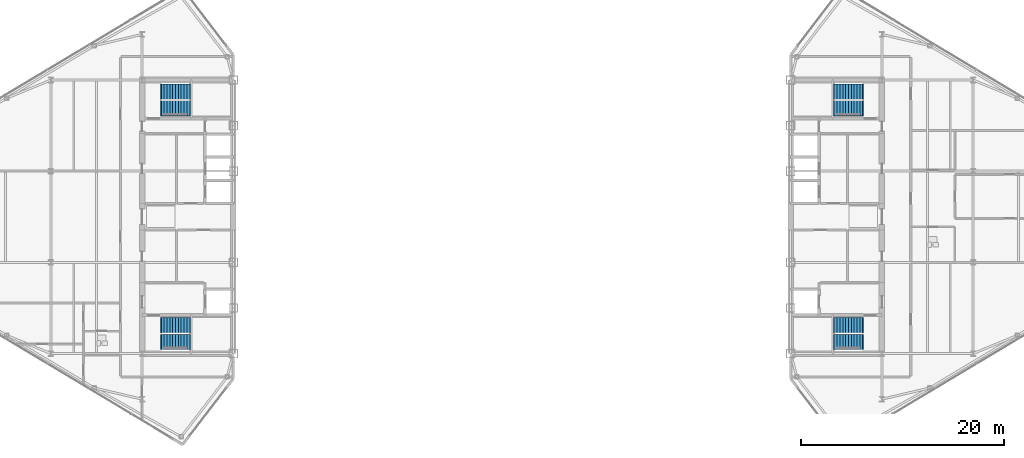
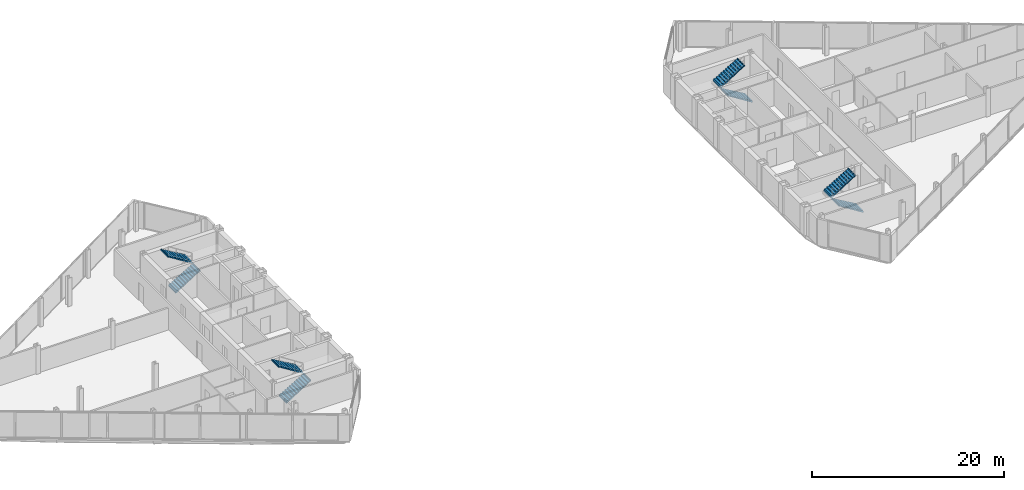
# One storey, part 23 of 25: 8 stair flights, 4 elements without a shape of their own.
"""IFC4 building model written with IfcOpenShell, lengths in metres."""

from ifc_helpers import new_model, si_unit, direction, frame, origin, place, context, subcontext, project, spatial, polyline, outline, extrude, material, type_object, element, aggregate, save


model = new_model("IFC4")

# Units and contexts
model_context = context("Model", 3, precision=1e-05, world=origin(), true_north=direction((0.0, 1.0)))
body_context = subcontext(model_context, "Body", "Model", "MODEL_VIEW")
ifc_project = project(units=[si_unit("LENGTHUNIT", "METRE"), si_unit("AREAUNIT", "SQUARE_METRE"), si_unit("VOLUMEUNIT", "CUBIC_METRE"), si_unit("PLANEANGLEUNIT", "RADIAN"), si_unit("MASSUNIT", "GRAM", prefix="KILO")], contexts=[model_context])

# Site, building, storey
site_placement = place(None, origin())
site = spatial("IfcSite", under=ifc_project, at=site_placement, CompositionType="ELEMENT")
building_placement = place(site_placement, origin())
building = spatial("IfcBuilding", under=site, at=building_placement, Name="Seokmaru Belvedere", CompositionType="ELEMENT")
storey_placement = place(building_placement, frame((0.0, 0.0, 203.10009765625)))
storey = spatial("IfcBuildingStorey", under=building, at=storey_placement, Name="L54", CompositionType="ELEMENT", Elevation=203.10009765625)

# Stair, stair flights
ifc_material = material(Name="Concrete C40 (40 MPa)", Category="concrete")
stair_type = type_object("IfcStairType", Name="Typical Tower Core Dog-Leg Stair 3600", PredefinedType="TWO_STRAIGHT_RUN_STAIR", material=ifc_material)
stair_1_placement = place(storey_placement, origin())
stair_1 = element("IfcStair", 1, at=stair_1_placement, inside=storey, type_object=stair_type, Name="L54 Special Escape Stair ST-W1", PredefinedType="TWO_STRAIGHT_RUN_STAIR")
stair_flight_type = type_object("IfcStairFlightType", Name="Reinforced Concrete Stair Flight 1500", PredefinedType="STRAIGHT", material=ifc_material)
stair_flight_1_placement = place(storey_placement, frame((-34.60009765625, -12.35009765625, 0.0), z_axis=(0.0, 0.0, 1.0), x_axis=(1.0, 0.0, 0.0)))
stair_flight_1 = element("IfcStairFlight", 2, at=stair_flight_1_placement, type_object=stair_flight_type, Name="ST-W1 flight 1", NumberOfRisers=11, NumberOfTreads=10, PredefinedType="STRAIGHT", RiserHeight=0.163636364, TreadLength=0.28, context=body_context, shape_type="SweptSolid", body=[
    extrude(outline(polyline([(-0.080078125, 0.0), (0.0, 0.16357421875), (0.280029296875, 0.16357421875), (0.280029296875, 0.327392578125), (0.56005859375, 0.327392578125), (0.56005859375, 0.490966796875), (0.840087890625, 0.490966796875), (0.840087890625, 0.654541015625), (1.1201171875, 0.654541015625), (1.1201171875, 0.818115234375), (1.39990234375, 0.818115234375), (1.39990234375, 0.98193359375), (1.679931640625, 0.98193359375), (1.679931640625, 1.1455078125), (1.9599609375, 1.1455078125), (1.9599609375, 1.30908203125), (2.239990234375, 1.30908203125), (2.239990234375, 1.47265625), (2.52001953125, 1.47265625), (2.52001953125, 1.636474609375), (2.800048828125, 1.636474609375), (2.800048828125, 1.800048828125), (2.8798828125, 1.800048828125), (2.8798828125, 1.610107421875), (2.800048828125, 1.610107421875), (0.0, -0.159912109375), (-0.080078125, -0.159912109375), (-0.080078125, 0.0)])), frame((0.0, 0.75, 0.0), z_axis=(0.0, -1.0, 0.0), x_axis=(1.0, 0.0, 0.0)), (0.0, 0.0, 1.0), 1.5),
])
stair_flight_2_placement = place(storey_placement, frame((-31.800048828125, -10.7099609375, 1.7998046875), z_axis=(0.0, 0.0, 1.0), x_axis=(-1.0, 0.0, 0.0)))
stair_flight_2 = element("IfcStairFlight", 3, at=stair_flight_2_placement, type_object=stair_flight_type, Name="ST-W1 flight 2", NumberOfRisers=11, NumberOfTreads=10, PredefinedType="STRAIGHT", RiserHeight=0.163636364, TreadLength=0.28, context=body_context, shape_type="SweptSolid", body=[
    extrude(outline(polyline([(-0.080078125, 0.0), (0.0, 0.16357421875), (0.280029296875, 0.16357421875), (0.280029296875, 0.327392578125), (0.56005859375, 0.327392578125), (0.56005859375, 0.490966796875), (0.840087890625, 0.490966796875), (0.840087890625, 0.654541015625), (1.1201171875, 0.654541015625), (1.1201171875, 0.818115234375), (1.39990234375, 0.818115234375), (1.39990234375, 0.98193359375), (1.679931640625, 0.98193359375), (1.679931640625, 1.1455078125), (1.9599609375, 1.1455078125), (1.9599609375, 1.30908203125), (2.239990234375, 1.30908203125), (2.239990234375, 1.47265625), (2.52001953125, 1.47265625), (2.52001953125, 1.636474609375), (2.800048828125, 1.636474609375), (2.800048828125, 1.800048828125), (2.8798828125, 1.800048828125), (2.8798828125, 1.610107421875), (2.800048828125, 1.610107421875), (0.0, -0.159912109375), (-0.080078125, -0.159912109375), (-0.080078125, 0.0)])), frame((0.0, 0.75, 0.0), z_axis=(0.0, -1.0, 0.0), x_axis=(1.0, 0.0, 0.0)), (0.0, 0.0, 1.0), 1.5),
])
aggregate(stair_1, [stair_flight_1, stair_flight_2])

stair_2_placement = place(storey_placement, origin())
stair_2 = element("IfcStair", 4, at=stair_2_placement, inside=storey, type_object=stair_type, Name="L54 Special Escape Stair ST-W2", PredefinedType="TWO_STRAIGHT_RUN_STAIR")
stair_flight_3_placement = place(storey_placement, frame((-34.60009765625, 10.7099609375, 0.0), z_axis=(0.0, 0.0, 1.0), x_axis=(1.0, 0.0, 0.0)))
stair_flight_3 = element("IfcStairFlight", 5, at=stair_flight_3_placement, type_object=stair_flight_type, Name="ST-W2 flight 1", NumberOfRisers=11, NumberOfTreads=10, PredefinedType="STRAIGHT", RiserHeight=0.163636364, TreadLength=0.28, context=body_context, shape_type="SweptSolid", body=[
    extrude(outline(polyline([(-0.080078125, 0.0), (0.0, 0.16357421875), (0.280029296875, 0.16357421875), (0.280029296875, 0.327392578125), (0.56005859375, 0.327392578125), (0.56005859375, 0.490966796875), (0.840087890625, 0.490966796875), (0.840087890625, 0.654541015625), (1.1201171875, 0.654541015625), (1.1201171875, 0.818115234375), (1.39990234375, 0.818115234375), (1.39990234375, 0.98193359375), (1.679931640625, 0.98193359375), (1.679931640625, 1.1455078125), (1.9599609375, 1.1455078125), (1.9599609375, 1.30908203125), (2.239990234375, 1.30908203125), (2.239990234375, 1.47265625), (2.52001953125, 1.47265625), (2.52001953125, 1.636474609375), (2.800048828125, 1.636474609375), (2.800048828125, 1.800048828125), (2.8798828125, 1.800048828125), (2.8798828125, 1.610107421875), (2.800048828125, 1.610107421875), (0.0, -0.159912109375), (-0.080078125, -0.159912109375), (-0.080078125, 0.0)])), frame((0.0, 0.75, 0.0), z_axis=(0.0, -1.0, 0.0), x_axis=(1.0, 0.0, 0.0)), (0.0, 0.0, 1.0), 1.5),
])
stair_flight_4_placement = place(storey_placement, frame((-31.800048828125, 12.35009765625, 1.7998046875), z_axis=(0.0, 0.0, 1.0), x_axis=(-1.0, 0.0, 0.0)))
stair_flight_4 = element("IfcStairFlight", 6, at=stair_flight_4_placement, type_object=stair_flight_type, Name="ST-W2 flight 2", NumberOfRisers=11, NumberOfTreads=10, PredefinedType="STRAIGHT", RiserHeight=0.163636364, TreadLength=0.28, context=body_context, shape_type="SweptSolid", body=[
    extrude(outline(polyline([(-0.080078125, 0.0), (0.0, 0.16357421875), (0.280029296875, 0.16357421875), (0.280029296875, 0.327392578125), (0.56005859375, 0.327392578125), (0.56005859375, 0.490966796875), (0.840087890625, 0.490966796875), (0.840087890625, 0.654541015625), (1.1201171875, 0.654541015625), (1.1201171875, 0.818115234375), (1.39990234375, 0.818115234375), (1.39990234375, 0.98193359375), (1.679931640625, 0.98193359375), (1.679931640625, 1.1455078125), (1.9599609375, 1.1455078125), (1.9599609375, 1.30908203125), (2.239990234375, 1.30908203125), (2.239990234375, 1.47265625), (2.52001953125, 1.47265625), (2.52001953125, 1.636474609375), (2.800048828125, 1.636474609375), (2.800048828125, 1.800048828125), (2.8798828125, 1.800048828125), (2.8798828125, 1.610107421875), (2.800048828125, 1.610107421875), (0.0, -0.159912109375), (-0.080078125, -0.159912109375), (-0.080078125, 0.0)])), frame((0.0, 0.75, 0.0), z_axis=(0.0, -1.0, 0.0), x_axis=(1.0, 0.0, 0.0)), (0.0, 0.0, 1.0), 1.5),
])
aggregate(stair_2, [stair_flight_3, stair_flight_4])

stair_3_placement = place(storey_placement, origin())
stair_3 = element("IfcStair", 7, at=stair_3_placement, inside=storey, type_object=stair_type, Name="L54 Special Escape Stair ST-E1", PredefinedType="TWO_STRAIGHT_RUN_STAIR")
stair_flight_5_placement = place(storey_placement, frame((34.60009765625, -12.35009765625, 0.0), z_axis=(0.0, 0.0, 1.0), x_axis=(-1.0, 0.0, 0.0)))
stair_flight_5 = element("IfcStairFlight", 8, at=stair_flight_5_placement, type_object=stair_flight_type, Name="ST-E1 flight 1", NumberOfRisers=11, NumberOfTreads=10, PredefinedType="STRAIGHT", RiserHeight=0.163636364, TreadLength=0.28, context=body_context, shape_type="SweptSolid", body=[
    extrude(outline(polyline([(-0.080078125, 0.0), (0.0, 0.16357421875), (0.280029296875, 0.16357421875), (0.280029296875, 0.327392578125), (0.56005859375, 0.327392578125), (0.56005859375, 0.490966796875), (0.840087890625, 0.490966796875), (0.840087890625, 0.654541015625), (1.1201171875, 0.654541015625), (1.1201171875, 0.818115234375), (1.39990234375, 0.818115234375), (1.39990234375, 0.98193359375), (1.679931640625, 0.98193359375), (1.679931640625, 1.1455078125), (1.9599609375, 1.1455078125), (1.9599609375, 1.30908203125), (2.239990234375, 1.30908203125), (2.239990234375, 1.47265625), (2.52001953125, 1.47265625), (2.52001953125, 1.636474609375), (2.800048828125, 1.636474609375), (2.800048828125, 1.800048828125), (2.8798828125, 1.800048828125), (2.8798828125, 1.610107421875), (2.800048828125, 1.610107421875), (0.0, -0.159912109375), (-0.080078125, -0.159912109375), (-0.080078125, 0.0)])), frame((0.0, 0.75, 0.0), z_axis=(0.0, -1.0, 0.0), x_axis=(1.0, 0.0, 0.0)), (0.0, 0.0, 1.0), 1.5),
])
stair_flight_6_placement = place(storey_placement, frame((31.800048828125, -10.7099609375, 1.7998046875), z_axis=(0.0, 0.0, 1.0), x_axis=(1.0, 0.0, 0.0)))
stair_flight_6 = element("IfcStairFlight", 9, at=stair_flight_6_placement, type_object=stair_flight_type, Name="ST-E1 flight 2", NumberOfRisers=11, NumberOfTreads=10, PredefinedType="STRAIGHT", RiserHeight=0.163636364, TreadLength=0.28, context=body_context, shape_type="SweptSolid", body=[
    extrude(outline(polyline([(-0.080078125, 0.0), (0.0, 0.16357421875), (0.280029296875, 0.16357421875), (0.280029296875, 0.327392578125), (0.56005859375, 0.327392578125), (0.56005859375, 0.490966796875), (0.840087890625, 0.490966796875), (0.840087890625, 0.654541015625), (1.1201171875, 0.654541015625), (1.1201171875, 0.818115234375), (1.39990234375, 0.818115234375), (1.39990234375, 0.98193359375), (1.679931640625, 0.98193359375), (1.679931640625, 1.1455078125), (1.9599609375, 1.1455078125), (1.9599609375, 1.30908203125), (2.239990234375, 1.30908203125), (2.239990234375, 1.47265625), (2.52001953125, 1.47265625), (2.52001953125, 1.636474609375), (2.800048828125, 1.636474609375), (2.800048828125, 1.800048828125), (2.8798828125, 1.800048828125), (2.8798828125, 1.610107421875), (2.800048828125, 1.610107421875), (0.0, -0.159912109375), (-0.080078125, -0.159912109375), (-0.080078125, 0.0)])), frame((0.0, 0.75, 0.0), z_axis=(0.0, -1.0, 0.0), x_axis=(1.0, 0.0, 0.0)), (0.0, 0.0, 1.0), 1.5),
])
aggregate(stair_3, [stair_flight_5, stair_flight_6])

stair_4_placement = place(storey_placement, origin())
stair_4 = element("IfcStair", 10, at=stair_4_placement, inside=storey, type_object=stair_type, Name="L54 Special Escape Stair ST-E2", PredefinedType="TWO_STRAIGHT_RUN_STAIR")
stair_flight_7_placement = place(storey_placement, frame((34.60009765625, 10.7099609375, 0.0), z_axis=(0.0, 0.0, 1.0), x_axis=(-1.0, 0.0, 0.0)))
stair_flight_7 = element("IfcStairFlight", 11, at=stair_flight_7_placement, type_object=stair_flight_type, Name="ST-E2 flight 1", NumberOfRisers=11, NumberOfTreads=10, PredefinedType="STRAIGHT", RiserHeight=0.163636364, TreadLength=0.28, context=body_context, shape_type="SweptSolid", body=[
    extrude(outline(polyline([(-0.080078125, 0.0), (0.0, 0.16357421875), (0.280029296875, 0.16357421875), (0.280029296875, 0.327392578125), (0.56005859375, 0.327392578125), (0.56005859375, 0.490966796875), (0.840087890625, 0.490966796875), (0.840087890625, 0.654541015625), (1.1201171875, 0.654541015625), (1.1201171875, 0.818115234375), (1.39990234375, 0.818115234375), (1.39990234375, 0.98193359375), (1.679931640625, 0.98193359375), (1.679931640625, 1.1455078125), (1.9599609375, 1.1455078125), (1.9599609375, 1.30908203125), (2.239990234375, 1.30908203125), (2.239990234375, 1.47265625), (2.52001953125, 1.47265625), (2.52001953125, 1.636474609375), (2.800048828125, 1.636474609375), (2.800048828125, 1.800048828125), (2.8798828125, 1.800048828125), (2.8798828125, 1.610107421875), (2.800048828125, 1.610107421875), (0.0, -0.159912109375), (-0.080078125, -0.159912109375), (-0.080078125, 0.0)])), frame((0.0, 0.75, 0.0), z_axis=(0.0, -1.0, 0.0), x_axis=(1.0, 0.0, 0.0)), (0.0, 0.0, 1.0), 1.5),
])
stair_flight_8_placement = place(storey_placement, frame((31.800048828125, 12.35009765625, 1.7998046875), z_axis=(0.0, 0.0, 1.0), x_axis=(1.0, 0.0, 0.0)))
stair_flight_8 = element("IfcStairFlight", 12, at=stair_flight_8_placement, type_object=stair_flight_type, Name="ST-E2 flight 2", NumberOfRisers=11, NumberOfTreads=10, PredefinedType="STRAIGHT", RiserHeight=0.163636364, TreadLength=0.28, context=body_context, shape_type="SweptSolid", body=[
    extrude(outline(polyline([(-0.080078125, 0.0), (0.0, 0.16357421875), (0.280029296875, 0.16357421875), (0.280029296875, 0.327392578125), (0.56005859375, 0.327392578125), (0.56005859375, 0.490966796875), (0.840087890625, 0.490966796875), (0.840087890625, 0.654541015625), (1.1201171875, 0.654541015625), (1.1201171875, 0.818115234375), (1.39990234375, 0.818115234375), (1.39990234375, 0.98193359375), (1.679931640625, 0.98193359375), (1.679931640625, 1.1455078125), (1.9599609375, 1.1455078125), (1.9599609375, 1.30908203125), (2.239990234375, 1.30908203125), (2.239990234375, 1.47265625), (2.52001953125, 1.47265625), (2.52001953125, 1.636474609375), (2.800048828125, 1.636474609375), (2.800048828125, 1.800048828125), (2.8798828125, 1.800048828125), (2.8798828125, 1.610107421875), (2.800048828125, 1.610107421875), (0.0, -0.159912109375), (-0.080078125, -0.159912109375), (-0.080078125, 0.0)])), frame((0.0, 0.75, 0.0), z_axis=(0.0, -1.0, 0.0), x_axis=(1.0, 0.0, 0.0)), (0.0, 0.0, 1.0), 1.5),
])
aggregate(stair_4, [stair_flight_7, stair_flight_8])

save(model, "model.ifc")
